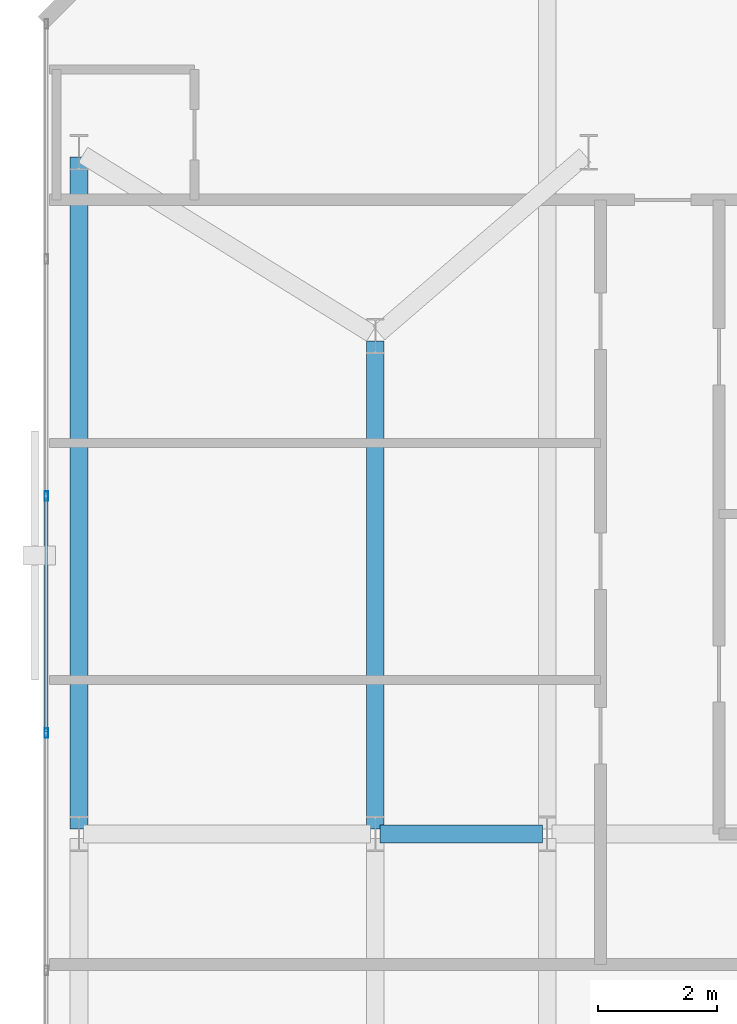
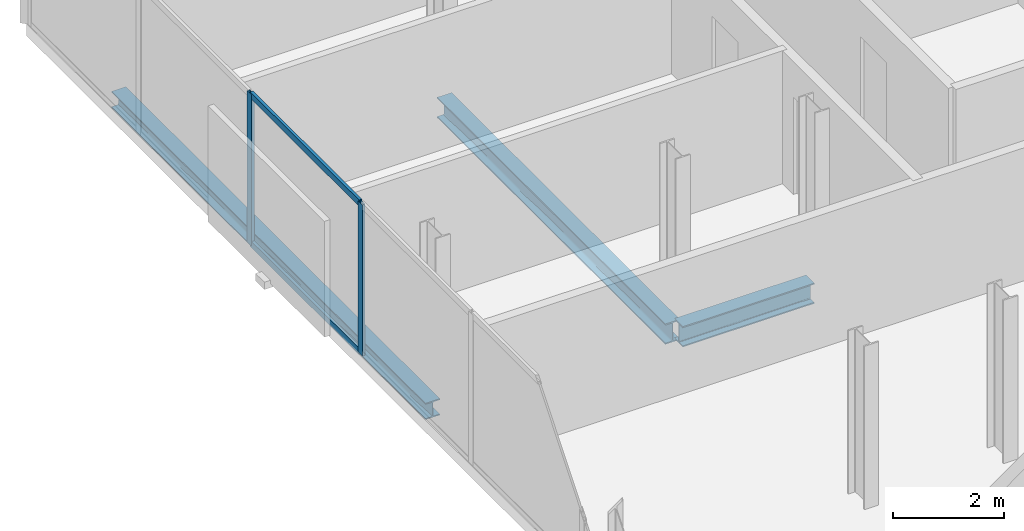
# One storey, part 11 of 32: 4 members, 3 beams, 1 element without a shape of its own.
"""IFC4 building model written with IfcOpenShell, lengths in metres."""

from ifc_helpers import new_model, si_unit, direction, frame, origin, origin_2d, place, context, subcontext, project, spatial, hollow_rectangle, i_section, extrude, material, layer, layer_set, material_profile, profile_set, type_object, element, aggregate, save


model = new_model("IFC4")

# Units and contexts
model_context = context("Model", 3, precision=1e-05, world=origin(), true_north=direction((0.0, 1.0)))
body_context = subcontext(model_context, "Body", "Model", "MODEL_VIEW")
ifc_project = project(units=[si_unit("LENGTHUNIT", "METRE"), si_unit("AREAUNIT", "SQUARE_METRE"), si_unit("VOLUMEUNIT", "CUBIC_METRE"), si_unit("PLANEANGLEUNIT", "RADIAN"), si_unit("MASSUNIT", "GRAM", prefix="KILO")], contexts=[model_context])

# Site, building, storey
site_placement = place(None, origin())
site = spatial("IfcSite", under=ifc_project, at=site_placement, CompositionType="ELEMENT")
building_placement = place(site_placement, origin())
building = spatial("IfcBuilding", under=site, at=building_placement, Name="Catumbela Crestline Tower", CompositionType="ELEMENT")
storey_placement = place(building_placement, frame((0.0, 0.0, 133.2)))
storey = spatial("IfcBuildingStorey", under=building, at=storey_placement, Name="L34", CompositionType="ELEMENT", Elevation=133.2)

# Beams
ifc_material_1 = material(Name="Structural steel S355J2", Category="steel")
ifc_material_profile_1 = material_profile(ifc_material_1, i_section(OverallWidth=0.3, OverallDepth=0.45, WebThickness=0.014, FlangeThickness=0.026, FilletRadius=0.027, at=origin_2d()), Name="HEB 450")
ifc_profile_set_1 = profile_set([ifc_material_profile_1], Name="Structural steel S355J2")
beam_type_1 = type_object("IfcBeamType", Name="BG-HEB450", PredefinedType="BEAM", material=ifc_profile_set_1)
beam_1_placement = place(storey_placement, frame((5.68, 30.8, -0.485), z_axis=(1.0, 0.0, 0.0), x_axis=(0.0, 1.0, 0.0)))
element("IfcBeam", 1, at=beam_1_placement, inside=storey, type_object=beam_type_1, Name="L34 Beam BM-L34-M08", PredefinedType="BEAM", context=body_context, shape_type="SweptSolid", body=[
    extrude(i_section(OverallWidth=0.3, OverallDepth=0.45, WebThickness=0.014, FlangeThickness=0.026, FilletRadius=0.027, at=origin_2d()), origin(), (0.0, 0.0, 1.0), 2.74),
])
beam_2_placement = place(storey_placement, frame((5.6, 30.88, -0.485), z_axis=(0.0, 1.0, 0.0), x_axis=(-1.0, 0.0, 0.0)))
element("IfcBeam", 2, at=beam_2_placement, inside=storey, type_object=beam_type_1, Name="L34 Beam BM-L34-SN25", PredefinedType="BEAM", context=body_context, shape_type="SweptSolid", body=[
    extrude(i_section(OverallWidth=0.3, OverallDepth=0.45, WebThickness=0.014, FlangeThickness=0.026, FilletRadius=0.027, at=origin_2d()), origin(), (0.0, 0.0, 1.0), 8.24),
])

# Curtain wall, members
ifc_material_2 = material(Name="Aluminium alloy AW-6060-T66", Category="aluminium")
ifc_layer = layer(ifc_material_2, 0.18, Name="Aluminium alloy AW-6060-T66")
ifc_layer_set = layer_set([ifc_layer], Name="Aluminium alloy AW-6060-T66")
curtain_wall_type = type_object("IfcCurtainWallType", Name="CWU-Z2", PredefinedType="USERDEFINED", material=ifc_layer_set)
curtain_wall_placement = place(storey_placement, origin())
curtain_wall = element("IfcCurtainWall", 3, at=curtain_wall_placement, inside=storey, type_object=curtain_wall_type, Name="L34 Unitised Curtain Wall CW-L34-E9S1", ObjectType="UNITISED", PredefinedType="USERDEFINED")
ifc_material_profile_2 = material_profile(ifc_material_2, hollow_rectangle(XDim=0.06, YDim=0.16, WallThickness=0.004, at=origin_2d()), Name="ALU 160x60x4")
ifc_profile_set_2 = profile_set([ifc_material_profile_2], Name="Aluminium alloy AW-6060-T66")
member_type_1 = type_object("IfcMemberType", Name="MUL-160X60", PredefinedType="MULLION", material=ifc_profile_set_2)
member_1_placement = place(storey_placement, frame((0.05, 36.5, 0.0), z_axis=(0.0, 0.0, 1.0), x_axis=(1.0, 0.0, 0.0)))
member_1 = element("IfcMember", 4, at=member_1_placement, type_object=member_type_1, Name="CWU-Z2 mullion 3", PredefinedType="MULLION", context=body_context, shape_type="SweptSolid", body=[
    extrude(hollow_rectangle(XDim=0.06, YDim=0.16, WallThickness=0.004, at=origin_2d()), origin(), (0.0, 0.0, 1.0), 3.33),
])
member_2_placement = place(storey_placement, frame((0.05, 32.5, 0.0), z_axis=(0.0, 0.0, 1.0), x_axis=(1.0, 0.0, 0.0)))
member_2 = element("IfcMember", 5, at=member_2_placement, type_object=member_type_1, Name="CWU-Z2 mullion 4", PredefinedType="MULLION", context=body_context, shape_type="SweptSolid", body=[
    extrude(hollow_rectangle(XDim=0.06, YDim=0.16, WallThickness=0.004, at=origin_2d()), origin(), (0.0, 0.0, 1.0), 3.33),
])

# Beam
ifc_material_profile_3 = material_profile(ifc_material_1, i_section(OverallWidth=0.3, OverallDepth=0.36, WebThickness=0.0125, FlangeThickness=0.0225, FilletRadius=0.027, at=origin_2d()), Name="HEB 360")
ifc_profile_set_3 = profile_set([ifc_material_profile_3], Name="Structural steel S355J2")
beam_type_2 = type_object("IfcBeamType", Name="BS-HEB360", PredefinedType="SPANDREL", material=ifc_profile_set_3)
beam_3_placement = place(storey_placement, frame((0.6, 30.88, -0.44), z_axis=(0.0, 1.0, 0.0), x_axis=(-1.0, 0.0, 0.0)))
element("IfcBeam", 6, at=beam_3_placement, inside=storey, type_object=beam_type_2, Name="L34 Spandrel SP-L34-SN23", PredefinedType="SPANDREL", context=body_context, shape_type="SweptSolid", body=[
    extrude(i_section(OverallWidth=0.3, OverallDepth=0.36, WebThickness=0.0125, FlangeThickness=0.0225, FilletRadius=0.027, at=origin_2d()), origin(), (0.0, 0.0, 1.0), 11.34),
])

# Member
ifc_material_profile_4 = material_profile(ifc_material_2, hollow_rectangle(XDim=0.06, YDim=0.14, WallThickness=0.004, at=origin_2d()), Name="ALU 140x60x4")
ifc_profile_set_4 = profile_set([ifc_material_profile_4], Name="Aluminium alloy AW-6060-T66")
member_type_2 = type_object("IfcMemberType", Name="TRN-140X60", PredefinedType="USERDEFINED", material=ifc_profile_set_4)
member_3_placement = place(storey_placement, frame((0.05, 36.4675, 0.03), z_axis=(0.0, -1.0, 0.0), x_axis=(1.0, 0.0, 0.0)))
member_3 = element("IfcMember", 7, at=member_3_placement, type_object=member_type_2, Name="CWU-Z2 transom 3.1", ObjectType="TRANSOM", PredefinedType="USERDEFINED", context=body_context, shape_type="SweptSolid", body=[
    extrude(hollow_rectangle(XDim=0.06, YDim=0.14, WallThickness=0.004, at=origin_2d()), origin(), (0.0, 0.0, 1.0), 3.935),
])

member_4_placement = place(storey_placement, frame((0.05, 36.4675, 3.3), z_axis=(0.0, -1.0, 0.0), x_axis=(1.0, 0.0, 0.0)))
member_4 = element("IfcMember", 8, at=member_4_placement, type_object=member_type_2, Name="CWU-Z2 transom 3.2", ObjectType="TRANSOM", PredefinedType="USERDEFINED", context=body_context, shape_type="SweptSolid", body=[
    extrude(hollow_rectangle(XDim=0.06, YDim=0.14, WallThickness=0.004, at=origin_2d()), origin(), (0.0, 0.0, 1.0), 3.935),
])

aggregate(curtain_wall, [member_1, member_2, member_3, member_4])

save(model, "model.ifc")
